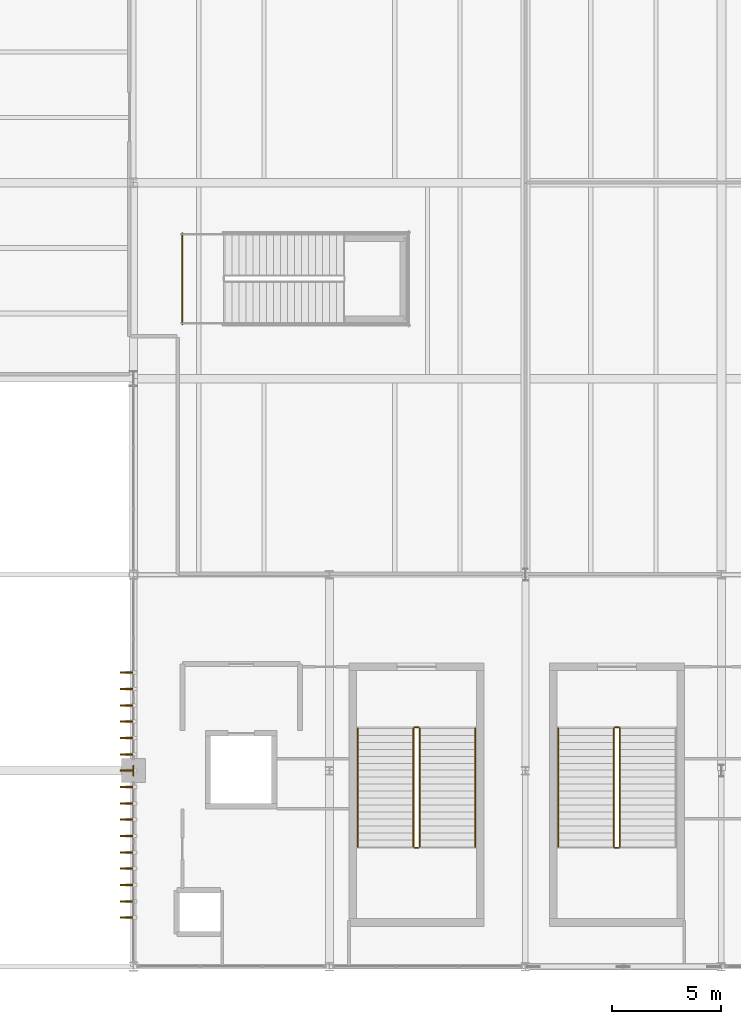
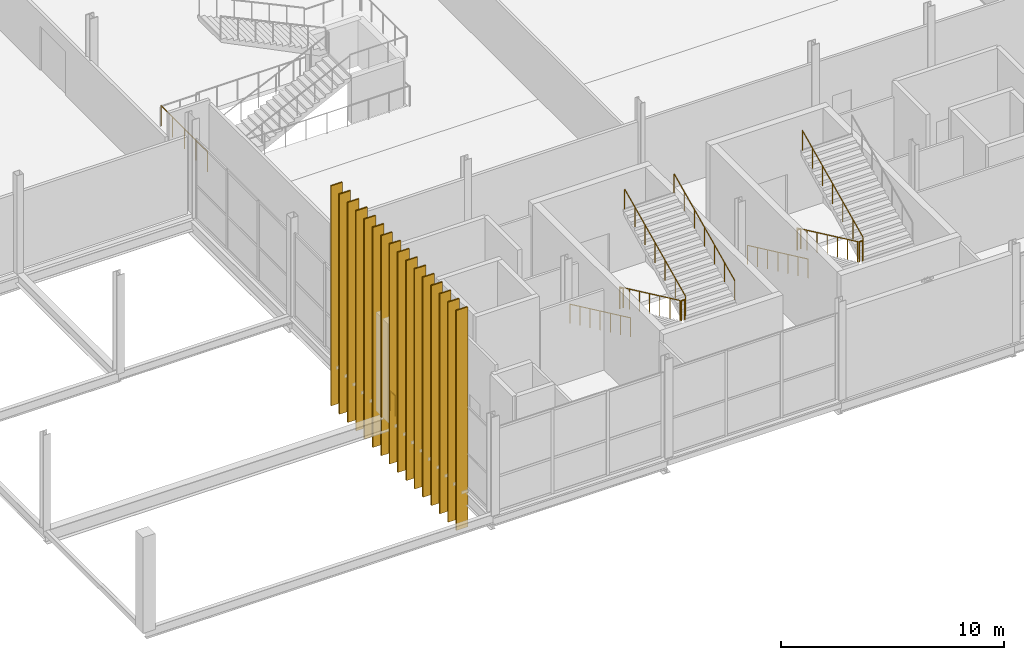
# One storey, part 109 of 119: 16 coverings, 16 shading devices, 13 railings.
"""IFC4 building model written with IfcOpenShell, lengths in metres."""

from ifc_helpers import new_model, si_unit, direction, frame, origin, origin_2d, place, context, subcontext, project, spatial, rectangle, circle, extrude, material, layer, layer_set, type_object, element, save


model = new_model("IFC4")

# Units and contexts
model_context = context("Model", 3, precision=1e-05, world=origin(), true_north=direction((0.0, 1.0)))
body_context = subcontext(model_context, "Body", "Model", "MODEL_VIEW")
ifc_project = project(units=[si_unit("LENGTHUNIT", "METRE"), si_unit("AREAUNIT", "SQUARE_METRE"), si_unit("VOLUMEUNIT", "CUBIC_METRE"), si_unit("PLANEANGLEUNIT", "RADIAN"), si_unit("MASSUNIT", "GRAM", prefix="KILO")], contexts=[model_context])

# Site, building, storey
site_placement = place(None, origin())
site = spatial("IfcSite", under=ifc_project, at=site_placement, CompositionType="ELEMENT")
building_placement = place(site_placement, origin())
building = spatial("IfcBuilding", under=site, at=building_placement, Name="Qamarlyn Nura Convention Centre", CompositionType="ELEMENT")
storey_placement = place(building_placement, frame((0.0, 0.0, 5.39990234375)))
storey = spatial("IfcBuildingStorey", under=building, at=storey_placement, Name="L01", CompositionType="ELEMENT", Elevation=5.39990234375)

# Coverings
ifc_material_1 = material(Name="UAE coastal limestone stone cladding", Category="masonry")
ifc_layer = layer(ifc_material_1, 0.044921875, Name="COV-PLINTH-LIME")
ifc_layer_set = layer_set([ifc_layer], Name="UAE coastal limestone stone cladding")
covering_type = type_object("IfcCoveringType", Name="COV-PLINTH-LIME", PredefinedType="CLADDING", material=ifc_layer_set)
for number, where, z_axis, x_axis, name in (
    (1, (152.679931640625, 2.25, -2.10009765625), (0.0, 0.0, 1.0), (-1.0, 0.0, 0.0), "Entrance vertical blade casing CLUST-B-01"),
    (2, (152.679931640625, 3.0, -2.10009765625), (0.0, 0.0, 1.0), (-1.0, 0.0, 0.0), "Entrance vertical blade casing CLUST-B-02"),
    (3, (152.679931640625, 3.75, -2.10009765625), (0.0, 0.0, 1.0), (-1.0, 0.0, 0.0), "Entrance vertical blade casing CLUST-B-03"),
    (4, (152.679931640625, 4.5, -2.10009765625), (0.0, 0.0, 1.0), (-1.0, 0.0, 0.0), "Entrance vertical blade casing CLUST-B-04"),
    (5, (152.679931640625, 5.25, -2.10009765625), (0.0, 0.0, 1.0), (-1.0, 0.0, 0.0), "Entrance vertical blade casing CLUST-B-05"),
    (6, (152.679931640625, 6.0, -2.10009765625), (0.0, 0.0, 1.0), (-1.0, 0.0, 0.0), "Entrance vertical blade casing CLUST-B-06"),
    (7, (152.679931640625, 6.75, -2.10009765625), (0.0, 0.0, 1.0), (-1.0, 0.0, 0.0), "Entrance vertical blade casing CLUST-B-07"),
    (8, (152.679931640625, 7.5, -2.10009765625), (0.0, 0.0, 1.0), (-1.0, 0.0, 0.0), "Entrance vertical blade casing CLUST-B-08"),
    (9, (152.679931640625, 8.25, -2.10009765625), (0.0, 0.0, 1.0), (-1.0, 0.0, 0.0), "Entrance vertical blade casing CLUST-B-09"),
    (10, (152.679931640625, 9.0, -2.10009765625), (0.0, 0.0, 1.0), (-1.0, 0.0, 0.0), "Entrance vertical blade casing CLUST-B-10"),
    (11, (152.679931640625, 9.75, -2.10009765625), (0.0, 0.0, 1.0), (-1.0, 0.0, 0.0), "Entrance vertical blade casing CLUST-B-11"),
    (12, (152.679931640625, 10.5, -2.10009765625), (0.0, 0.0, 1.0), (-1.0, 0.0, 0.0), "Entrance vertical blade casing CLUST-B-12"),
    (13, (152.679931640625, 11.25, -2.10009765625), (0.0, 0.0, 1.0), (-1.0, 0.0, 0.0), "Entrance vertical blade casing CLUST-B-13"),
    (14, (152.679931640625, 12.0, -2.10009765625), (0.0, 0.0, 1.0), (-1.0, 0.0, 0.0), "Entrance vertical blade casing CLUST-B-14"),
    (15, (152.679931640625, 12.75, -2.10009765625), (0.0, 0.0, 1.0), (-1.0, 0.0, 0.0), "Entrance vertical blade casing CLUST-B-15"),
    (16, (152.679931640625, 13.5, -2.10009765625), (0.0, 0.0, 1.0), (-1.0, 0.0, 0.0), "Entrance vertical blade casing CLUST-B-16"),
):
    element("IfcCovering", number, at=place(storey_placement, frame(where, z_axis=z_axis, x_axis=x_axis)), inside=storey, type_object=covering_type, Name=name, PredefinedType="CLADDING", context=body_context, shape_type="SweptSolid", body=[
        extrude(rectangle(XDim=0.5849609375, YDim=0.072021484375, at=origin_2d()), origin(), (0.0, 0.0, 1.0), 12.050048828125),
    ])

# Railings
ifc_material_2 = material(Name="Marine Grade 316 stainless steel", Category="steel")
railing_type_1 = type_object("IfcRailingType", Name="GRD-STAIR-112", PredefinedType="BALUSTRADE", material=ifc_material_2)
railing_1_placement = place(storey_placement, frame((165.860107421875, 10.93994140625, 0.150146484375)))
element("IfcRailing", 17, at=railing_1_placement, inside=storey, type_object=railing_type_1, Name="L01 ST-09 stair guard 1", PredefinedType="BALUSTRADE", context=body_context, shape_type="SweptSolid", body=[
    extrude(circle(Radius=0.02392578125, at=origin_2d()), frame((0.0, 0.0, 1.09619140625), z_axis=(0.0, -0.90545405566, 0.424444287379), x_axis=(1.0, 0.0, 0.0)), (0.0, 0.0, 1.0), 6.008056640625),
    extrude(circle(Radius=0.02099609375, at=origin_2d()), origin(), (0.0, 0.0, 1.0), 1.070068359375),
    extrude(circle(Radius=0.02099609375, at=origin_2d()), frame((0.0, -0.90673828125, 0.425048828125)), (0.0, 0.0, 1.0), 1.070068359375),
    extrude(circle(Radius=0.02099609375, at=origin_2d()), frame((0.0, -1.813232421875, 0.85009765625)), (0.0, 0.0, 1.0), 1.070068359375),
    extrude(circle(Radius=0.02099609375, at=origin_2d()), frame((0.0, -2.719970703125, 1.27490234375)), (0.0, 0.0, 1.0), 1.070068359375),
    extrude(circle(Radius=0.02099609375, at=origin_2d()), frame((0.0, -3.626708984375, 1.699951171875)), (0.0, 0.0, 1.0), 1.070068359375),
    extrude(circle(Radius=0.02099609375, at=origin_2d()), frame((0.0, -4.533203125, 2.125)), (0.0, 0.0, 1.0), 1.070068359375),
    extrude(circle(Radius=0.02099609375, at=origin_2d()), frame((0.0, -5.43994140625, 2.550048828125)), (0.0, 0.0, 1.0), 1.070068359375),
])
railing_2_placement = place(storey_placement, frame((165.909912109375, 5.449951171875, 2.7001953125)))
element("IfcRailing", 18, at=railing_2_placement, inside=storey, type_object=railing_type_1, Name="L01 ST-09 stair guard 2", PredefinedType="BALUSTRADE", context=body_context, shape_type="SweptSolid", body=[
    extrude(circle(Radius=0.02392578125, at=origin_2d()), frame((0.0, 0.0, 1.09619140625), z_axis=(1.0, 0.0, 0.0), x_axis=(0.0, 1.0, 0.0)), (0.0, 0.0, 1.0), 0.18017578125),
    extrude(circle(Radius=0.02099609375, at=origin_2d()), origin(), (0.0, 0.0, 1.0), 1.070068359375),
    extrude(circle(Radius=0.02099609375, at=origin_2d()), frame((0.18017578125, 0.0, 0.0)), (0.0, 0.0, 1.0), 1.070068359375),
])
railing_3_placement = place(storey_placement, frame((166.139892578125, 5.5, 2.85009765625)))
element("IfcRailing", 19, at=railing_3_placement, inside=storey, type_object=railing_type_1, Name="L01 ST-09 stair guard 3", PredefinedType="BALUSTRADE", context=body_context, shape_type="SweptSolid", body=[
    extrude(circle(Radius=0.02392578125, at=origin_2d()), frame((0.0, 0.0, 1.09619140625), z_axis=(0.0, 0.90545405566, 0.424444287379), x_axis=(-1.0, 0.0, 0.0)), (0.0, 0.0, 1.0), 6.008056640625),
    extrude(circle(Radius=0.02099609375, at=origin_2d()), origin(), (0.0, 0.0, 1.0), 1.070068359375),
    extrude(circle(Radius=0.02099609375, at=origin_2d()), frame((0.0, 0.90673828125, 0.425048828125)), (0.0, 0.0, 1.0), 1.070068359375),
    extrude(circle(Radius=0.02099609375, at=origin_2d()), frame((0.0, 1.813232421875, 0.85009765625)), (0.0, 0.0, 1.0), 1.070068359375),
    extrude(circle(Radius=0.02099609375, at=origin_2d()), frame((0.0, 2.719970703125, 1.27490234375)), (0.0, 0.0, 1.0), 1.070068359375),
    extrude(circle(Radius=0.02099609375, at=origin_2d()), frame((0.0, 3.626708984375, 1.699951171875)), (0.0, 0.0, 1.0), 1.070068359375),
    extrude(circle(Radius=0.02099609375, at=origin_2d()), frame((0.0, 4.533203125, 2.125)), (0.0, 0.0, 1.0), 1.070068359375),
    extrude(circle(Radius=0.02099609375, at=origin_2d()), frame((0.0, 5.43994140625, 2.550048828125)), (0.0, 0.0, 1.0), 1.070068359375),
])
railing_4_placement = place(storey_placement, frame((165.909912109375, 10.989990234375, 0.0)))
element("IfcRailing", 20, at=railing_4_placement, inside=storey, type_object=railing_type_1, Name="L01 ST-09 stair guard 4", PredefinedType="BALUSTRADE", context=body_context, shape_type="SweptSolid", body=[
    extrude(circle(Radius=0.02392578125, at=origin_2d()), frame((0.0, 0.0, 1.09619140625), z_axis=(1.0, 0.0, 0.0), x_axis=(0.0, 1.0, 0.0)), (0.0, 0.0, 1.0), 0.18017578125),
    extrude(circle(Radius=0.02099609375, at=origin_2d()), origin(), (0.0, 0.0, 1.0), 1.070068359375),
    extrude(circle(Radius=0.02099609375, at=origin_2d()), frame((0.18017578125, 0.0, 0.0)), (0.0, 0.0, 1.0), 1.070068359375),
])
railing_5_placement = place(storey_placement, frame((175.06005859375, 10.93994140625, 0.150146484375)))
element("IfcRailing", 21, at=railing_5_placement, inside=storey, type_object=railing_type_1, Name="L01 ST-10 stair guard 1", PredefinedType="BALUSTRADE", context=body_context, shape_type="SweptSolid", body=[
    extrude(circle(Radius=0.02392578125, at=origin_2d()), frame((0.0, 0.0, 1.09619140625), z_axis=(0.0, -0.90545405566, 0.424444287379), x_axis=(1.0, 0.0, 0.0)), (0.0, 0.0, 1.0), 6.008056640625),
    extrude(circle(Radius=0.02099609375, at=origin_2d()), origin(), (0.0, 0.0, 1.0), 1.070068359375),
    extrude(circle(Radius=0.02099609375, at=origin_2d()), frame((0.0, -0.90673828125, 0.425048828125)), (0.0, 0.0, 1.0), 1.070068359375),
    extrude(circle(Radius=0.02099609375, at=origin_2d()), frame((0.0, -1.813232421875, 0.85009765625)), (0.0, 0.0, 1.0), 1.070068359375),
    extrude(circle(Radius=0.02099609375, at=origin_2d()), frame((0.0, -2.719970703125, 1.27490234375)), (0.0, 0.0, 1.0), 1.070068359375),
    extrude(circle(Radius=0.02099609375, at=origin_2d()), frame((0.0, -3.626708984375, 1.699951171875)), (0.0, 0.0, 1.0), 1.070068359375),
    extrude(circle(Radius=0.02099609375, at=origin_2d()), frame((0.0, -4.533203125, 2.125)), (0.0, 0.0, 1.0), 1.070068359375),
    extrude(circle(Radius=0.02099609375, at=origin_2d()), frame((0.0, -5.43994140625, 2.550048828125)), (0.0, 0.0, 1.0), 1.070068359375),
])
railing_6_placement = place(storey_placement, frame((175.110107421875, 5.449951171875, 2.7001953125)))
element("IfcRailing", 22, at=railing_6_placement, inside=storey, type_object=railing_type_1, Name="L01 ST-10 stair guard 2", PredefinedType="BALUSTRADE", context=body_context, shape_type="SweptSolid", body=[
    extrude(circle(Radius=0.02392578125, at=origin_2d()), frame((0.0, 0.0, 1.09619140625), z_axis=(1.0, 0.0, 0.0), x_axis=(0.0, 1.0, 0.0)), (0.0, 0.0, 1.0), 0.179931640625),
    extrude(circle(Radius=0.02099609375, at=origin_2d()), origin(), (0.0, 0.0, 1.0), 1.070068359375),
    extrude(circle(Radius=0.02099609375, at=origin_2d()), frame((0.179931640625, 0.0, 0.0)), (0.0, 0.0, 1.0), 1.070068359375),
])
railing_7_placement = place(storey_placement, frame((175.340087890625, 5.5, 2.85009765625)))
element("IfcRailing", 23, at=railing_7_placement, inside=storey, type_object=railing_type_1, Name="L01 ST-10 stair guard 3", PredefinedType="BALUSTRADE", context=body_context, shape_type="SweptSolid", body=[
    extrude(circle(Radius=0.02392578125, at=origin_2d()), frame((0.0, 0.0, 1.09619140625), z_axis=(0.0, 0.90545405566, 0.424444287379), x_axis=(-1.0, 0.0, 0.0)), (0.0, 0.0, 1.0), 6.008056640625),
    extrude(circle(Radius=0.02099609375, at=origin_2d()), origin(), (0.0, 0.0, 1.0), 1.070068359375),
    extrude(circle(Radius=0.02099609375, at=origin_2d()), frame((0.0, 0.90673828125, 0.425048828125)), (0.0, 0.0, 1.0), 1.070068359375),
    extrude(circle(Radius=0.02099609375, at=origin_2d()), frame((0.0, 1.813232421875, 0.85009765625)), (0.0, 0.0, 1.0), 1.070068359375),
    extrude(circle(Radius=0.02099609375, at=origin_2d()), frame((0.0, 2.719970703125, 1.27490234375)), (0.0, 0.0, 1.0), 1.070068359375),
    extrude(circle(Radius=0.02099609375, at=origin_2d()), frame((0.0, 3.626708984375, 1.699951171875)), (0.0, 0.0, 1.0), 1.070068359375),
    extrude(circle(Radius=0.02099609375, at=origin_2d()), frame((0.0, 4.533203125, 2.125)), (0.0, 0.0, 1.0), 1.070068359375),
    extrude(circle(Radius=0.02099609375, at=origin_2d()), frame((0.0, 5.43994140625, 2.550048828125)), (0.0, 0.0, 1.0), 1.070068359375),
])
railing_8_placement = place(storey_placement, frame((175.110107421875, 10.989990234375, 0.0)))
element("IfcRailing", 24, at=railing_8_placement, inside=storey, type_object=railing_type_1, Name="L01 ST-10 stair guard 4", PredefinedType="BALUSTRADE", context=body_context, shape_type="SweptSolid", body=[
    extrude(circle(Radius=0.02392578125, at=origin_2d()), frame((0.0, 0.0, 1.09619140625), z_axis=(1.0, 0.0, 0.0), x_axis=(0.0, 1.0, 0.0)), (0.0, 0.0, 1.0), 0.179931640625),
    extrude(circle(Radius=0.02099609375, at=origin_2d()), origin(), (0.0, 0.0, 1.0), 1.070068359375),
    extrude(circle(Radius=0.02099609375, at=origin_2d()), frame((0.179931640625, 0.0, 0.0)), (0.0, 0.0, 1.0), 1.070068359375),
])
railing_9_placement = place(storey_placement, frame((155.25, 29.5, 0.0)))
element("IfcRailing", 25, at=railing_9_placement, inside=storey, type_object=railing_type_1, Name="L01 ST-20 stair guard 10", PredefinedType="BALUSTRADE", context=body_context, shape_type="SweptSolid", body=[
    extrude(circle(Radius=0.02392578125, at=origin_2d()), frame((0.0, 0.0, 1.09619140625), z_axis=(0.0, 1.0, 0.0), x_axis=(-1.0, 0.0, 0.0)), (0.0, 0.0, 1.0), 4.179931640625),
    extrude(circle(Radius=0.02099609375, at=origin_2d()), origin(), (0.0, 0.0, 1.0), 1.070068359375),
    extrude(circle(Radius=0.02099609375, at=origin_2d()), frame((0.0, 1.044921875, 0.0)), (0.0, 0.0, 1.0), 1.070068359375),
    extrude(circle(Radius=0.02099609375, at=origin_2d()), frame((0.0, 2.08984375, 0.0)), (0.0, 0.0, 1.0), 1.070068359375),
    extrude(circle(Radius=0.02099609375, at=origin_2d()), frame((0.0, 3.135009765625, 0.0)), (0.0, 0.0, 1.0), 1.070068359375),
    extrude(circle(Radius=0.02099609375, at=origin_2d()), frame((0.0, 4.179931640625, 0.0)), (0.0, 0.0, 1.0), 1.070068359375),
])
railing_type_2 = type_object("IfcRailingType", Name="GRD-VOID-112", PredefinedType="BALUSTRADE", material=ifc_material_2)
railing_10_placement = place(storey_placement, frame((153.0, 8.77001953125, 0.0)))
element("IfcRailing", 26, at=railing_10_placement, inside=storey, type_object=railing_type_2, Name="L01 slab edge balustrade guard 043", PredefinedType="BALUSTRADE", context=body_context, shape_type="SweptSolid", body=[
    extrude(circle(Radius=0.02392578125, at=origin_2d()), frame((0.0, 0.0, 1.09619140625), z_axis=(0.0, 1.0, 0.0), x_axis=(-1.0, 0.0, 0.0)), (0.0, 0.0, 1.0), 0.4599609375),
    extrude(circle(Radius=0.02099609375, at=origin_2d()), origin(), (0.0, 0.0, 1.0), 1.070068359375),
    extrude(circle(Radius=0.02099609375, at=origin_2d()), frame((0.0, 0.4599609375, 0.0)), (0.0, 0.0, 1.0), 1.070068359375),
])
railing_type_3 = type_object("IfcRailingType", Name="HRL-STAIR-090", PredefinedType="HANDRAIL", material=ifc_material_2)
railing_11_placement = place(storey_placement, frame((163.300048828125, 10.93994140625, 0.302490234375)))
element("IfcRailing", 27, at=railing_11_placement, inside=storey, type_object=railing_type_3, Name="L01 ST-09 stair handrail 1", PredefinedType="HANDRAIL", context=body_context, shape_type="SweptSolid", body=[
    extrude(circle(Radius=0.02392578125, at=origin_2d()), frame((0.0, 0.0, 0.88818359375), z_axis=(0.0, -0.90546967238, 0.424410971113), x_axis=(1.0, 0.0, 0.0)), (0.0, 0.0, 1.0), 6.0078125),
    extrude(circle(Radius=0.02099609375, at=origin_2d()), frame((0.0, 0.0, -0.155029296875)), (0.0, 0.0, 1.0), 1.01708984375),
    extrude(circle(Radius=0.02099609375, at=origin_2d()), frame((0.0, -0.90673828125, 0.27001953125)), (0.0, 0.0, 1.0), 1.01708984375),
    extrude(circle(Radius=0.02099609375, at=origin_2d()), frame((0.0, -1.813232421875, 0.69482421875)), (0.0, 0.0, 1.0), 1.01708984375),
    extrude(circle(Radius=0.02099609375, at=origin_2d()), frame((0.0, -2.719970703125, 1.119873046875)), (0.0, 0.0, 1.0), 1.01708984375),
    extrude(circle(Radius=0.02099609375, at=origin_2d()), frame((0.0, -3.626708984375, 1.544921875)), (0.0, 0.0, 1.0), 1.01708984375),
    extrude(circle(Radius=0.02099609375, at=origin_2d()), frame((0.0, -4.533203125, 1.9697265625)), (0.0, 0.0, 1.0), 1.01708984375),
    extrude(circle(Radius=0.02099609375, at=origin_2d()), frame((0.0, -5.43994140625, 2.394775390625)), (0.0, 0.0, 1.0), 1.01708984375),
])
railing_12_placement = place(storey_placement, frame((168.699951171875, 5.5, 3.00244140625)))
element("IfcRailing", 28, at=railing_12_placement, inside=storey, type_object=railing_type_3, Name="L01 ST-09 stair handrail 2", PredefinedType="HANDRAIL", context=body_context, shape_type="SweptSolid", body=[
    extrude(circle(Radius=0.02392578125, at=origin_2d()), frame((0.0, 0.0, 0.88818359375), z_axis=(0.0, 0.90545405566, 0.424444287379), x_axis=(-1.0, 0.0, 0.0)), (0.0, 0.0, 1.0), 6.008056640625),
    extrude(circle(Radius=0.02099609375, at=origin_2d()), frame((0.0, 0.0, -0.155029296875)), (0.0, 0.0, 1.0), 1.01708984375),
    extrude(circle(Radius=0.02099609375, at=origin_2d()), frame((0.0, 0.90673828125, 0.27001953125)), (0.0, 0.0, 1.0), 1.01708984375),
    extrude(circle(Radius=0.02099609375, at=origin_2d()), frame((0.0, 1.813232421875, 0.695068359375)), (0.0, 0.0, 1.0), 1.01708984375),
    extrude(circle(Radius=0.02099609375, at=origin_2d()), frame((0.0, 2.719970703125, 1.1201171875)), (0.0, 0.0, 1.0), 1.01708984375),
    extrude(circle(Radius=0.02099609375, at=origin_2d()), frame((0.0, 3.626708984375, 1.544921875)), (0.0, 0.0, 1.0), 1.01708984375),
    extrude(circle(Radius=0.02099609375, at=origin_2d()), frame((0.0, 4.533203125, 1.969970703125)), (0.0, 0.0, 1.0), 1.01708984375),
    extrude(circle(Radius=0.02099609375, at=origin_2d()), frame((0.0, 5.43994140625, 2.39501953125)), (0.0, 0.0, 1.0), 1.01708984375),
])
railing_13_placement = place(storey_placement, frame((172.5, 10.93994140625, 0.302490234375)))
element("IfcRailing", 29, at=railing_13_placement, inside=storey, type_object=railing_type_3, Name="L01 ST-10 stair handrail 1", PredefinedType="HANDRAIL", context=body_context, shape_type="SweptSolid", body=[
    extrude(circle(Radius=0.02392578125, at=origin_2d()), frame((0.0, 0.0, 0.88818359375), z_axis=(0.0, -0.90546967238, 0.424410971113), x_axis=(1.0, 0.0, 0.0)), (0.0, 0.0, 1.0), 6.0078125),
    extrude(circle(Radius=0.02099609375, at=origin_2d()), frame((0.0, 0.0, -0.155029296875)), (0.0, 0.0, 1.0), 1.01708984375),
    extrude(circle(Radius=0.02099609375, at=origin_2d()), frame((0.0, -0.90673828125, 0.27001953125)), (0.0, 0.0, 1.0), 1.01708984375),
    extrude(circle(Radius=0.02099609375, at=origin_2d()), frame((0.0, -1.813232421875, 0.69482421875)), (0.0, 0.0, 1.0), 1.01708984375),
    extrude(circle(Radius=0.02099609375, at=origin_2d()), frame((0.0, -2.719970703125, 1.119873046875)), (0.0, 0.0, 1.0), 1.01708984375),
    extrude(circle(Radius=0.02099609375, at=origin_2d()), frame((0.0, -3.626708984375, 1.544921875)), (0.0, 0.0, 1.0), 1.01708984375),
    extrude(circle(Radius=0.02099609375, at=origin_2d()), frame((0.0, -4.533203125, 1.9697265625)), (0.0, 0.0, 1.0), 1.01708984375),
    extrude(circle(Radius=0.02099609375, at=origin_2d()), frame((0.0, -5.43994140625, 2.394775390625)), (0.0, 0.0, 1.0), 1.01708984375),
])

# Shading devices
ifc_material_3 = material(Name="Champagne-anodised marine aluminium", Category="aluminium")
shading_device_type = type_object("IfcShadingDeviceType", Name="SHD-ENT-FIN", PredefinedType="USERDEFINED", material=ifc_material_3)
for number, where, z_axis, x_axis, name in (
    (30, (152.679931640625, 2.25, -2.10009765625), (0.0, 0.0, 1.0), (-1.0, 0.0, 0.0), "Entrance vertical solar blade CLUST-B-01"),
    (31, (152.679931640625, 3.0, -2.10009765625), (0.0, 0.0, 1.0), (-1.0, 0.0, 0.0), "Entrance vertical solar blade CLUST-B-02"),
    (32, (152.679931640625, 3.75, -2.10009765625), (0.0, 0.0, 1.0), (-1.0, 0.0, 0.0), "Entrance vertical solar blade CLUST-B-03"),
    (33, (152.679931640625, 4.5, -2.10009765625), (0.0, 0.0, 1.0), (-1.0, 0.0, 0.0), "Entrance vertical solar blade CLUST-B-04"),
    (34, (152.679931640625, 5.25, -2.10009765625), (0.0, 0.0, 1.0), (-1.0, 0.0, 0.0), "Entrance vertical solar blade CLUST-B-05"),
    (35, (152.679931640625, 6.0, -2.10009765625), (0.0, 0.0, 1.0), (-1.0, 0.0, 0.0), "Entrance vertical solar blade CLUST-B-06"),
    (36, (152.679931640625, 6.75, -2.10009765625), (0.0, 0.0, 1.0), (-1.0, 0.0, 0.0), "Entrance vertical solar blade CLUST-B-07"),
    (37, (152.679931640625, 7.5, -2.10009765625), (0.0, 0.0, 1.0), (-1.0, 0.0, 0.0), "Entrance vertical solar blade CLUST-B-08"),
    (38, (152.679931640625, 8.25, -2.10009765625), (0.0, 0.0, 1.0), (-1.0, 0.0, 0.0), "Entrance vertical solar blade CLUST-B-09"),
    (39, (152.679931640625, 9.0, -2.10009765625), (0.0, 0.0, 1.0), (-1.0, 0.0, 0.0), "Entrance vertical solar blade CLUST-B-10"),
    (40, (152.679931640625, 9.75, -2.10009765625), (0.0, 0.0, 1.0), (-1.0, 0.0, 0.0), "Entrance vertical solar blade CLUST-B-11"),
    (41, (152.679931640625, 10.5, -2.10009765625), (0.0, 0.0, 1.0), (-1.0, 0.0, 0.0), "Entrance vertical solar blade CLUST-B-12"),
    (42, (152.679931640625, 11.25, -2.10009765625), (0.0, 0.0, 1.0), (-1.0, 0.0, 0.0), "Entrance vertical solar blade CLUST-B-13"),
    (43, (152.679931640625, 12.0, -2.10009765625), (0.0, 0.0, 1.0), (-1.0, 0.0, 0.0), "Entrance vertical solar blade CLUST-B-14"),
    (44, (152.679931640625, 12.75, -2.10009765625), (0.0, 0.0, 1.0), (-1.0, 0.0, 0.0), "Entrance vertical solar blade CLUST-B-15"),
    (45, (152.679931640625, 13.5, -2.10009765625), (0.0, 0.0, 1.0), (-1.0, 0.0, 0.0), "Entrance vertical solar blade CLUST-B-16"),
):
    element("IfcShadingDevice", number, at=place(storey_placement, frame(where, z_axis=z_axis, x_axis=x_axis)), inside=storey, type_object=shading_device_type, Name=name, ObjectType="FIN", PredefinedType="USERDEFINED", context=body_context, shape_type="SweptSolid", body=[
        extrude(rectangle(XDim=0.580078125, YDim=0.06494140625, at=origin_2d()), origin(), (0.0, 0.0, 1.0), 12.050048828125),
    ])

save(model, "model.ifc")
